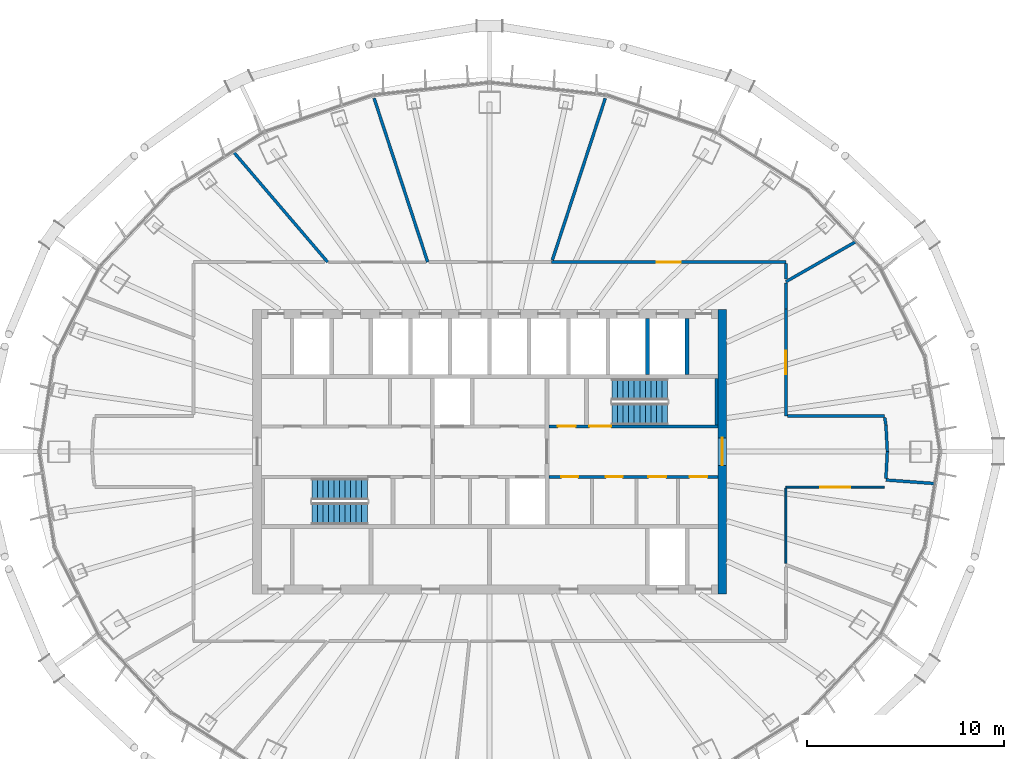
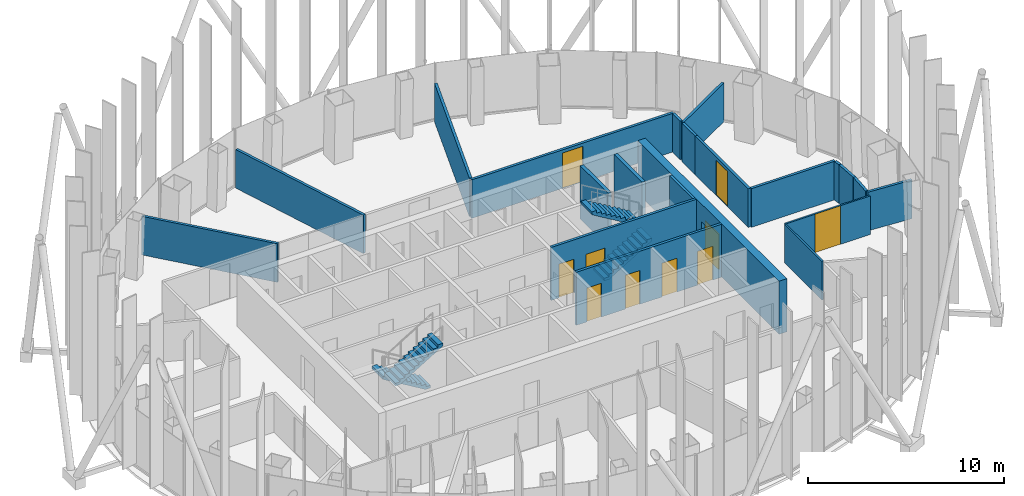
# One storey, part 10 of 17: 21 walls, 10 doors, 4 stair flights, 10 openings, 2 elements without a shape of their own.
"""IFC4 building model written with IfcOpenShell, lengths in metres."""

from ifc_helpers import new_model, si_unit, direction, frame, frame_2d, origin, place, context, subcontext, project, spatial, polyline, rectangle, outline, extrude, material, layer, layer_set, type_object, element, fill, aggregate, save


model = new_model("IFC4")

# Units and contexts
model_context = context("Model", 3, precision=1e-05, world=origin(), true_north=direction((0.0, 1.0)))
body_context = subcontext(model_context, "Body", "Model", "MODEL_VIEW")
ifc_project = project(units=[si_unit("LENGTHUNIT", "METRE"), si_unit("AREAUNIT", "SQUARE_METRE"), si_unit("VOLUMEUNIT", "CUBIC_METRE"), si_unit("PLANEANGLEUNIT", "RADIAN"), si_unit("MASSUNIT", "GRAM", prefix="KILO")], contexts=[model_context])

# Site, building, storey
site_placement = place(None, origin())
site = spatial("IfcSite", under=ifc_project, at=site_placement, CompositionType="ELEMENT")
building_placement = place(site_placement, origin())
building = spatial("IfcBuilding", under=site, at=building_placement, Name="Siaravel Broadcast Tower", CompositionType="ELEMENT")
storey_placement = place(building_placement, frame((0.0, 0.0, 190.39990234375)))
storey = spatial("IfcBuildingStorey", under=building, at=storey_placement, Name="L46", CompositionType="ELEMENT", Elevation=190.39990234375)

# Wall, opening, door
ifc_material_1 = material(Name="Concrete C60/75", Category="concrete")
ifc_layer_1 = layer(ifc_material_1, 0.449951171875)
ifc_layer_set_1 = layer_set([ifc_layer_1], Name="Concrete C60/75")
wall_type_1 = type_object("IfcWallType", Name="Core wall 450", PredefinedType="SHEAR", material=ifc_layer_set_1)
wall_1_placement = place(storey_placement, frame((11.77490234375, -7.199951171875, 0.0), z_axis=(0.0, 0.0, 1.0), x_axis=(0.0, 1.0, 0.0)))
wall_1 = element("IfcWall", 1, at=wall_1_placement, inside=storey, type_object=wall_type_1, Name="L46 core wall OE", PredefinedType="SHEAR", context=body_context, shape_type="SweptSolid", body=[
    extrude(rectangle(XDim=14.39990234375, YDim=0.449951171875, at=frame_2d((7.199951171875, 0.0))), origin(), (0.0, 0.0, 1.0), 3.300048828125),
])
opening_1_placement = place(wall_1_placement, frame((6.5, 0.0, 0.0)))
opening_1 = element("IfcOpeningElement", 2, at=opening_1_placement, cuts=wall_1, Name="Opening L46-DX-E", PredefinedType="OPENING", context=body_context, shape_type="SweptSolid", body=[
    extrude(rectangle(XDim=1.39990234375, YDim=2.199951171875, at=frame_2d((0.699951171875, 1.10009765625))), frame((0.0, 0.23486328125, 0.0), z_axis=(0.0, -1.0, 0.0), x_axis=(1.0, 0.0, 0.0)), (0.0, 0.0, 1.0), 0.469970703125),
])
ifc_material_2 = material(Name="Steel", Category="steel")
door_type_1 = type_object("IfcDoorType", Name="Core exit door 1400", OperationType="DOUBLE_DOOR_SINGLE_SWING", PredefinedType="DOOR", material=ifc_material_2)
door_1_placement = place(opening_1_placement, origin())
door_1 = element("IfcDoor", 3, at=door_1_placement, inside=storey, type_object=door_type_1, Name="L46 door DX-E", OperationType="DOUBLE_DOOR_SINGLE_SWING", OverallHeight=2.199951171875, OverallWidth=1.39990234375, PredefinedType="DOOR", context=body_context, shape_type="SweptSolid", body=[
    extrude(rectangle(XDim=1.39990234375, YDim=2.199951171875, at=frame_2d((0.699951171875, 1.10009765625))), frame((0.0, 0.02490234375, 0.0), z_axis=(0.0, -1.0, 0.0), x_axis=(1.0, 0.0, 0.0)), (0.0, 0.0, 1.0), 0.050048828125),
])
fill(opening_1, door_1)

# Wall, openings, doors
ifc_material_3 = material(Name="Gypsum board partition", Category="gypsum")
ifc_layer_2 = layer(ifc_material_3, 0.14990234375)
ifc_layer_set_2 = layer_set([ifc_layer_2], Name="Gypsum board partition")
wall_type_2 = type_object("IfcWallType", Name="Corridor wall 150", PredefinedType="PARTITIONING", material=ifc_layer_set_2)
wall_2_placement = place(storey_placement, frame((3.0, -1.27490234375, 0.0), z_axis=(0.0, 0.0, 1.0), x_axis=(1.0, 0.0, 0.0)))
wall_2 = element("IfcWall", 4, at=wall_2_placement, inside=storey, type_object=wall_type_2, Name="L46 core partition CSE", PredefinedType="PARTITIONING", context=body_context, shape_type="SweptSolid", body=[
    extrude(rectangle(XDim=8.550048828125, YDim=0.14990234375, at=frame_2d((4.27490234375, 0.0))), origin(), (0.0, 0.0, 1.0), 3.300048828125),
])
opening_2_placement = place(wall_2_placement, frame((0.6279296875, 0.0, 0.0)))
opening_2 = element("IfcOpeningElement", 5, at=opening_2_placement, cuts=wall_2, Name="Opening L46-DSE0", PredefinedType="OPENING", context=body_context, shape_type="SweptSolid", body=[
    extrude(rectangle(XDim=0.85009765625, YDim=2.10009765625, at=frame_2d((0.425048828125, 1.050048828125))), frame((0.0, 0.0849609375, 0.0), z_axis=(0.0, -1.0, 0.0), x_axis=(1.0, 0.0, 0.0)), (0.0, 0.0, 1.0), 0.169921875),
])
opening_3_placement = place(wall_2_placement, frame((2.884033203125, 0.0, 0.0)))
opening_3 = element("IfcOpeningElement", 6, at=opening_3_placement, cuts=wall_2, Name="Opening L46-DSE1", PredefinedType="OPENING", context=body_context, shape_type="SweptSolid", body=[
    extrude(rectangle(XDim=0.85009765625, YDim=2.10009765625, at=frame_2d((0.425048828125, 1.050048828125))), frame((0.0, 0.0849609375, 0.0), z_axis=(0.0, -1.0, 0.0), x_axis=(1.0, 0.0, 0.0)), (0.0, 0.0, 1.0), 0.169921875),
])
opening_4_placement = place(wall_2_placement, frame((5.033935546875, 0.0, 0.0)))
opening_4 = element("IfcOpeningElement", 7, at=opening_4_placement, cuts=wall_2, Name="Opening L46-DSE2", PredefinedType="OPENING", context=body_context, shape_type="SweptSolid", body=[
    extrude(rectangle(XDim=0.89990234375, YDim=2.10009765625, at=frame_2d((0.449951171875, 1.050048828125))), frame((0.0, 0.0849609375, 0.0), z_axis=(0.0, -1.0, 0.0), x_axis=(1.0, 0.0, 0.0)), (0.0, 0.0, 1.0), 0.169921875),
])
opening_5_placement = place(wall_2_placement, frame((7.1279296875, 0.0, 0.0)))
opening_5 = element("IfcOpeningElement", 8, at=opening_5_placement, cuts=wall_2, Name="Opening L46-DSE3", PredefinedType="OPENING", context=body_context, shape_type="SweptSolid", body=[
    extrude(rectangle(XDim=0.89990234375, YDim=2.10009765625, at=frame_2d((0.449951171875, 1.050048828125))), frame((0.0, 0.0849609375, 0.0), z_axis=(0.0, -1.0, 0.0), x_axis=(1.0, 0.0, 0.0)), (0.0, 0.0, 1.0), 0.169921875),
])
ifc_material_4 = material(Name="Timber veneer", Category="wood")
door_type_2 = type_object("IfcDoorType", Name="Core room door 900", OperationType="SINGLE_SWING_LEFT", PredefinedType="DOOR", material=ifc_material_4)
door_2_placement = place(opening_4_placement, origin())
door_2 = element("IfcDoor", 9, at=door_2_placement, inside=storey, type_object=door_type_2, Name="L46 door DSE2", OperationType="SINGLE_SWING_LEFT", OverallHeight=2.10009765625, OverallWidth=0.89990234375, PredefinedType="DOOR", context=body_context, shape_type="SweptSolid", body=[
    extrude(rectangle(XDim=0.89990234375, YDim=2.10009765625, at=frame_2d((0.449951171875, 1.050048828125))), frame((0.0, 0.02490234375, 0.0), z_axis=(0.0, -1.0, 0.0), x_axis=(1.0, 0.0, 0.0)), (0.0, 0.0, 1.0), 0.050048828125),
])
fill(opening_4, door_2)
door_3_placement = place(opening_5_placement, origin())
door_3 = element("IfcDoor", 10, at=door_3_placement, inside=storey, type_object=door_type_2, Name="L46 door DSE3", OperationType="SINGLE_SWING_LEFT", OverallHeight=2.10009765625, OverallWidth=0.89990234375, PredefinedType="DOOR", context=body_context, shape_type="SweptSolid", body=[
    extrude(rectangle(XDim=0.89990234375, YDim=2.10009765625, at=frame_2d((0.449951171875, 1.050048828125))), frame((0.0, 0.02490234375, 0.0), z_axis=(0.0, -1.0, 0.0), x_axis=(1.0, 0.0, 0.0)), (0.0, 0.0, 1.0), 0.050048828125),
])
fill(opening_5, door_3)
door_type_3 = type_object("IfcDoorType", Name="Core toilet door 850", OperationType="SINGLE_SWING_LEFT", PredefinedType="DOOR", material=ifc_material_4)
door_4_placement = place(opening_2_placement, origin())
door_4 = element("IfcDoor", 11, at=door_4_placement, inside=storey, type_object=door_type_3, Name="L46 door DSE0", OperationType="SINGLE_SWING_LEFT", OverallHeight=2.10009765625, OverallWidth=0.85009765625, PredefinedType="DOOR", context=body_context, shape_type="SweptSolid", body=[
    extrude(rectangle(XDim=0.85009765625, YDim=2.10009765625, at=frame_2d((0.425048828125, 1.050048828125))), frame((0.0, 0.02490234375, 0.0), z_axis=(0.0, -1.0, 0.0), x_axis=(1.0, 0.0, 0.0)), (0.0, 0.0, 1.0), 0.050048828125),
])
fill(opening_2, door_4)
door_5_placement = place(opening_3_placement, origin())
door_5 = element("IfcDoor", 12, at=door_5_placement, inside=storey, type_object=door_type_3, Name="L46 door DSE1", OperationType="SINGLE_SWING_LEFT", OverallHeight=2.10009765625, OverallWidth=0.85009765625, PredefinedType="DOOR", context=body_context, shape_type="SweptSolid", body=[
    extrude(rectangle(XDim=0.85009765625, YDim=2.10009765625, at=frame_2d((0.425048828125, 1.050048828125))), frame((0.0, 0.02490234375, 0.0), z_axis=(0.0, -1.0, 0.0), x_axis=(1.0, 0.0, 0.0)), (0.0, 0.0, 1.0), 0.050048828125),
])
fill(opening_3, door_5)

# Wall, opening, door
wall_3_placement = place(storey_placement, frame((15.0, 9.60009765625, 0.0), z_axis=(0.0, 0.0, 1.0), x_axis=(-1.0, 0.0, 0.0)))
wall_3 = element("IfcWall", 13, at=wall_3_placement, inside=storey, type_object=wall_type_2, Name="L46 partition 2", PredefinedType="PARTITIONING", context=body_context, shape_type="SweptSolid", body=[
    extrude(rectangle(XDim=11.859619140625, YDim=0.14990234375, at=frame_2d((5.9296875, 0.0))), origin(), (0.0, 0.0, 1.0), 2.400146484375),
])
opening_6_placement = place(wall_3_placement, frame((5.329833984375, 0.0, 0.0)))
opening_6 = element("IfcOpeningElement", 14, at=opening_6_placement, cuts=wall_3, Name="Opening L46-007", PredefinedType="OPENING", context=body_context, shape_type="SweptSolid", body=[
    extrude(rectangle(XDim=1.199951171875, YDim=2.199951171875, at=frame_2d((0.60009765625, 1.10009765625))), frame((0.0, 0.0849609375, 0.0), z_axis=(0.0, -1.0, 0.0), x_axis=(1.0, 0.0, 0.0)), (0.0, 0.0, 1.0), 0.169921875),
])
door_type_4 = type_object("IfcDoorType", Name="Office double door 1200", OperationType="DOUBLE_DOOR_SINGLE_SWING", PredefinedType="DOOR", material=ifc_material_4)
door_6_placement = place(opening_6_placement, origin())
door_6 = element("IfcDoor", 15, at=door_6_placement, inside=storey, type_object=door_type_4, Name="L46 door to Open plan office", OperationType="DOUBLE_DOOR_SINGLE_SWING", OverallHeight=2.199951171875, OverallWidth=1.199951171875, PredefinedType="DOOR", context=body_context, shape_type="SweptSolid", body=[
    extrude(rectangle(XDim=1.199951171875, YDim=2.199951171875, at=frame_2d((0.60009765625, 1.10009765625))), frame((0.0, 0.02490234375, 0.0), z_axis=(0.0, -1.0, 0.0), x_axis=(1.0, 0.0, 0.0)), (0.0, 0.0, 1.0), 0.050048828125),
])
fill(opening_6, door_6)

wall_4_placement = place(storey_placement, frame((15.0, 1.800048828125, 0.0), z_axis=(0.0, 0.0, 1.0), x_axis=(0.0, 1.0, 0.0)))
wall_4 = element("IfcWall", 16, at=wall_4_placement, inside=storey, type_object=wall_type_2, Name="L46 partition 16", PredefinedType="PARTITIONING", context=body_context, shape_type="SweptSolid", body=[
    extrude(rectangle(XDim=5.411865234375, YDim=0.14990234375, at=frame_2d((2.7060546875, 0.0))), origin(), (0.0, 0.0, 1.0), 2.400146484375),
])
opening_7_placement = place(wall_4_placement, frame((2.10595703125, 0.0, 0.0)))
opening_7 = element("IfcOpeningElement", 17, at=opening_7_placement, cuts=wall_4, Name="Opening L46-006", PredefinedType="OPENING", context=body_context, shape_type="SweptSolid", body=[
    extrude(rectangle(XDim=1.199951171875, YDim=2.199951171875, at=frame_2d((0.60009765625, 1.10009765625))), frame((0.0, 0.0849609375, 0.0), z_axis=(0.0, -1.0, 0.0), x_axis=(1.0, 0.0, 0.0)), (0.0, 0.0, 1.0), 0.169921875),
])
door_7_placement = place(opening_7_placement, origin())
door_7 = element("IfcDoor", 18, at=door_7_placement, inside=storey, type_object=door_type_4, Name="L46 door to Open plan office", OperationType="DOUBLE_DOOR_SINGLE_SWING", OverallHeight=2.199951171875, OverallWidth=1.199951171875, PredefinedType="DOOR", context=body_context, shape_type="SweptSolid", body=[
    extrude(rectangle(XDim=1.199951171875, YDim=2.199951171875, at=frame_2d((0.60009765625, 1.10009765625))), frame((0.0, 0.02490234375, 0.0), z_axis=(0.0, -1.0, 0.0), x_axis=(1.0, 0.0, 0.0)), (0.0, 0.0, 1.0), 0.050048828125),
])
fill(opening_7, door_7)

# Walls
wall_5_placement = place(storey_placement, frame((19.9921875, 1.800048828125, 0.0), z_axis=(0.0, 0.0, 1.0), x_axis=(-1.0, 0.0, 0.0)))
element("IfcWall", 19, at=wall_5_placement, inside=storey, type_object=wall_type_2, Name="L46 partition 21", PredefinedType="PARTITIONING", context=body_context, shape_type="SweptSolid", body=[
    extrude(rectangle(XDim=4.915283203125, YDim=0.14990234375, at=frame_2d((2.45751953125, 0.0))), origin(), (0.0, 0.0, 1.0), 2.400146484375),
])
wall_6_placement = place(storey_placement, frame((20.064208984375, -1.360595703125, 0.0), z_axis=(0.0, 0.0, 1.0), x_axis=(0.053217143, 0.998582964, 0.0)))
element("IfcWall", 20, at=wall_6_placement, inside=storey, type_object=wall_type_2, Name="L46 partition 32", PredefinedType="PARTITIONING", context=body_context, shape_type="SweptSolid", body=[
    extrude(rectangle(XDim=1.362548828125, YDim=0.14990234375, at=frame_2d((0.68115234375, 0.0))), origin(), (0.0, 0.0, 1.0), 2.400146484375),
])
wall_7_placement = place(storey_placement, frame((15.0, 7.212890625, 0.0), z_axis=(0.0, 0.0, 1.0), x_axis=(0.0, 1.0, 0.0)))
element("IfcWall", 21, at=wall_7_placement, inside=storey, type_object=wall_type_2, Name="L46 partition 34", PredefinedType="PARTITIONING", context=body_context, shape_type="SweptSolid", body=[
    extrude(rectangle(XDim=1.3232421875, YDim=0.14990234375, at=frame_2d((0.66162109375, 0.0))), origin(), (0.0, 0.0, 1.0), 2.400146484375),
])
wall_8_placement = place(storey_placement, frame((20.13623046875, 0.010009765625, 0.0), z_axis=(0.0, 0.0, 1.0), x_axis=(-0.053267345, 0.998580287, 0.0)))
element("IfcWall", 22, at=wall_8_placement, inside=storey, type_object=wall_type_2, Name="L46 partition 37", PredefinedType="PARTITIONING", context=body_context, shape_type="SweptSolid", body=[
    extrude(rectangle(XDim=1.33837890625, YDim=0.14990234375, at=frame_2d((0.669189453125, 0.0))), origin(), (0.0, 0.0, 1.0), 2.400146484375),
])
wall_9_placement = place(storey_placement, frame((15.0, 8.734619140625, 0.0), z_axis=(0.0, 0.0, 1.0), x_axis=(0.0, 1.0, 0.0)))
element("IfcWall", 23, at=wall_9_placement, inside=storey, type_object=wall_type_2, Name="L46 partition 39", PredefinedType="PARTITIONING", context=body_context, shape_type="SweptSolid", body=[
    extrude(rectangle(XDim=0.788330078125, YDim=0.14990234375, at=frame_2d((0.39404296875, 0.0))), origin(), (0.0, 0.0, 1.0), 2.400146484375),
])
wall_10_placement = place(storey_placement, frame((20.0634765625, 1.356201171875, 0.0), z_axis=(0.0, 0.0, 1.0), x_axis=(-0.158882963, 0.987297424, 0.0)))
element("IfcWall", 24, at=wall_10_placement, inside=storey, type_object=wall_type_2, Name="L46 partition 42", PredefinedType="PARTITIONING", context=body_context, shape_type="SweptSolid", body=[
    extrude(rectangle(XDim=0.373291015625, YDim=0.14990234375, at=frame_2d((0.1865234375, 0.0))), origin(), (0.0, 0.0, 1.0), 2.400146484375),
])

# Wall, opening, door
ifc_material_5 = material(Name="Glazed aluminium partition", Category="aluminium")
ifc_layer_3 = layer(ifc_material_5, 0.10009765625)
ifc_layer_set_3 = layer_set([ifc_layer_3], Name="Glazed aluminium partition")
wall_type_3 = type_object("IfcWallType", Name="Glazed meeting room partition 100", PredefinedType="PARTITIONING", material=ifc_layer_set_3)
wall_11_placement = place(storey_placement, frame((15.0, -1.800048828125, 0.0), z_axis=(0.0, 0.0, 1.0), x_axis=(1.0, 0.0, 0.0)))
wall_11 = element("IfcWall", 25, at=wall_11_placement, inside=storey, type_object=wall_type_3, Name="L46 partition 20", PredefinedType="PARTITIONING", context=body_context, shape_type="SweptSolid", body=[
    extrude(rectangle(XDim=4.9921875, YDim=0.10009765625, at=frame_2d((2.49609375, 0.0))), origin(), (0.0, 0.0, 1.0), 2.400146484375),
])
opening_8_placement = place(wall_11_placement, frame((1.74609375, 0.0, 0.0)))
opening_8 = element("IfcOpeningElement", 26, at=opening_8_placement, cuts=wall_11, Name="Opening L46-005", PredefinedType="OPENING", context=body_context, shape_type="SweptSolid", body=[
    extrude(rectangle(XDim=1.5, YDim=2.39990234375, at=frame_2d((0.75, 1.199951171875))), frame((0.0, 0.06005859375, 0.0), z_axis=(0.0, -1.0, 0.0), x_axis=(1.0, 0.0, 0.0)), (0.0, 0.0, 1.0), 0.1201171875),
])
door_type_5 = type_object("IfcDoorType", Name="Conference double door 1500", OperationType="DOUBLE_DOOR_SINGLE_SWING", PredefinedType="DOOR", material=ifc_material_4)
door_8_placement = place(opening_8_placement, origin())
door_8 = element("IfcDoor", 27, at=door_8_placement, inside=storey, type_object=door_type_5, Name="L46 door to Conference room", OperationType="DOUBLE_DOOR_SINGLE_SWING", OverallHeight=2.39990234375, OverallWidth=1.5, PredefinedType="DOOR", context=body_context, shape_type="SweptSolid", body=[
    extrude(rectangle(XDim=1.5, YDim=2.39990234375, at=frame_2d((0.75, 1.199951171875))), frame((0.0, 0.02490234375, 0.0), z_axis=(0.0, -1.0, 0.0), x_axis=(1.0, 0.0, 0.0)), (0.0, 0.0, 1.0), 0.050048828125),
])
fill(opening_8, door_8)

# Walls
wall_12_placement = place(storey_placement, frame((15.0, -5.6572265625, 0.0), z_axis=(0.0, 0.0, 1.0), x_axis=(0.0, 1.0, 0.0)))
element("IfcWall", 28, at=wall_12_placement, inside=storey, type_object=wall_type_3, Name="L46 partition 26", PredefinedType="PARTITIONING", context=body_context, shape_type="SweptSolid", body=[
    extrude(rectangle(XDim=3.80517578125, YDim=0.10009765625, at=frame_2d((1.902587890625, 0.0))), origin(), (0.0, 0.0, 1.0), 2.400146484375),
])
ifc_layer_4 = layer(ifc_material_3, 0.14990234375)
ifc_layer_set_4 = layer_set([ifc_layer_4], Name="Gypsum board partition")
wall_type_4 = type_object("IfcWallType", Name="Room partition 150", PredefinedType="PARTITIONING", material=ifc_layer_set_4)
wall_13_placement = place(storey_placement, frame((-5.853515625, 17.893798828125, 0.0), z_axis=(0.0, 0.0, 1.0), x_axis=(0.310918216, -0.95043667, 0.0)))
element("IfcWall", 29, at=wall_13_placement, inside=storey, type_object=wall_type_4, Name="L46 partition 4", PredefinedType="PARTITIONING", context=body_context, shape_type="SweptSolid", body=[
    extrude(rectangle(XDim=8.726318359375, YDim=0.14990234375, at=frame_2d((4.36328125, 0.0))), origin(), (0.0, 0.0, 1.0), 2.400146484375),
])
wall_14_placement = place(storey_placement, frame((5.853271484375, 17.892822265625, 0.0), z_axis=(0.0, 0.0, 1.0), x_axis=(-0.310929285, -0.950433049, 0.0)))
element("IfcWall", 30, at=wall_14_placement, inside=storey, type_object=wall_type_4, Name="L46 partition 6", PredefinedType="PARTITIONING", context=body_context, shape_type="SweptSolid", body=[
    extrude(rectangle(XDim=8.619873046875, YDim=0.14990234375, at=frame_2d((4.31005859375, 0.0))), origin(), (0.0, 0.0, 1.0), 2.400146484375),
])
wall_15_placement = place(storey_placement, frame((-12.97607421875, 15.179443359375, 0.0), z_axis=(0.0, 0.0, 1.0), x_axis=(0.649788278, -0.76011525, 0.0)))
element("IfcWall", 31, at=wall_15_placement, inside=storey, type_object=wall_type_4, Name="L46 partition 7", PredefinedType="PARTITIONING", context=body_context, shape_type="SweptSolid", body=[
    extrude(rectangle(XDim=7.340087890625, YDim=0.14990234375, at=frame_2d((3.669921875, 0.0))), origin(), (0.0, 0.0, 1.0), 2.400146484375),
])
wall_16_placement = place(storey_placement, frame((18.537109375, 10.632080078125, 0.0), z_axis=(0.0, 0.0, 1.0), x_axis=(-0.867438786, -0.49754392, 0.0)))
element("IfcWall", 32, at=wall_16_placement, inside=storey, type_object=wall_type_4, Name="L46 partition 24", PredefinedType="PARTITIONING", context=body_context, shape_type="SweptSolid", body=[
    extrude(rectangle(XDim=4.07763671875, YDim=0.14990234375, at=frame_2d((2.038818359375, 0.0))), origin(), (0.0, 0.0, 1.0), 2.400146484375),
])
wall_17_placement = place(storey_placement, frame((22.55419921875, -1.6162109375, 0.0), z_axis=(0.0, 0.0, 1.0), x_axis=(-0.997442317, 0.071476043, 0.0)))
element("IfcWall", 33, at=wall_17_placement, inside=storey, type_object=wall_type_4, Name="L46 partition 27", PredefinedType="PARTITIONING", context=body_context, shape_type="SweptSolid", body=[
    extrude(rectangle(XDim=2.500244140625, YDim=0.14990234375, at=frame_2d((1.25, 0.0))), origin(), (0.0, 0.0, 1.0), 2.400146484375),
])

# Wall, openings, doors
ifc_layer_5 = layer(ifc_material_1, 0.14990234375)
ifc_layer_set_5 = layer_set([ifc_layer_5], Name="Concrete C60/75")
wall_type_5 = type_object("IfcWallType", Name="Shaft wall 150", PredefinedType="SHEAR", material=ifc_layer_set_5)
wall_18_placement = place(storey_placement, frame((3.0, 1.27490234375, 0.0), z_axis=(0.0, 0.0, 1.0), x_axis=(1.0, 0.0, 0.0)))
wall_18 = element("IfcWall", 34, at=wall_18_placement, inside=storey, type_object=wall_type_5, Name="L46 core wall CNE", PredefinedType="SHEAR", context=body_context, shape_type="SweptSolid", body=[
    extrude(rectangle(XDim=8.550048828125, YDim=0.14990234375, at=frame_2d((4.27490234375, 0.0))), origin(), (0.0, 0.0, 1.0), 3.300048828125),
])
opening_9_placement = place(wall_18_placement, frame((2.050048828125, 0.0, 0.0)))
opening_9 = element("IfcOpeningElement", 35, at=opening_9_placement, cuts=wall_18, Name="Opening L46-DS-2", PredefinedType="OPENING", context=body_context, shape_type="SweptSolid", body=[
    extrude(rectangle(XDim=1.10009765625, YDim=2.14990234375, at=frame_2d((0.550048828125, 1.074951171875))), frame((0.0, 0.0849609375, 0.0), z_axis=(0.0, -1.0, 0.0), x_axis=(1.0, 0.0, 0.0)), (0.0, 0.0, 1.0), 0.169921875),
])
opening_10_placement = place(wall_18_placement, frame((0.449951171875, 0.0, 0.0)))
opening_10 = element("IfcOpeningElement", 36, at=opening_10_placement, cuts=wall_18, Name="Opening L46-DNE0", PredefinedType="OPENING", context=body_context, shape_type="SweptSolid", body=[
    extrude(rectangle(XDim=0.89990234375, YDim=2.10009765625, at=frame_2d((0.449951171875, 1.050048828125))), frame((0.0, 0.0849609375, 0.0), z_axis=(0.0, -1.0, 0.0), x_axis=(1.0, 0.0, 0.0)), (0.0, 0.0, 1.0), 0.169921875),
])
door_9_placement = place(opening_10_placement, origin())
door_9 = element("IfcDoor", 37, at=door_9_placement, inside=storey, type_object=door_type_2, Name="L46 door DNE0", OperationType="SINGLE_SWING_LEFT", OverallHeight=2.10009765625, OverallWidth=0.89990234375, PredefinedType="DOOR", context=body_context, shape_type="SweptSolid", body=[
    extrude(rectangle(XDim=0.89990234375, YDim=2.10009765625, at=frame_2d((0.449951171875, 1.050048828125))), frame((0.0, 0.02490234375, 0.0), z_axis=(0.0, -1.0, 0.0), x_axis=(1.0, 0.0, 0.0)), (0.0, 0.0, 1.0), 0.050048828125),
])
fill(opening_10, door_9)
door_type_6 = type_object("IfcDoorType", Name="Stair door 1100", OperationType="SINGLE_SWING_LEFT", PredefinedType="DOOR", material=ifc_material_2)
door_10_placement = place(opening_9_placement, origin())
door_10 = element("IfcDoor", 38, at=door_10_placement, inside=storey, type_object=door_type_6, Name="L46 door DS-2", OperationType="SINGLE_SWING_LEFT", OverallHeight=2.14990234375, OverallWidth=1.10009765625, PredefinedType="DOOR", context=body_context, shape_type="SweptSolid", body=[
    extrude(rectangle(XDim=1.10009765625, YDim=2.14990234375, at=frame_2d((0.550048828125, 1.074951171875))), frame((0.0, 0.02490234375, 0.0), z_axis=(0.0, -1.0, 0.0), x_axis=(1.0, 0.0, 0.0)), (0.0, 0.0, 1.0), 0.050048828125),
])
fill(opening_9, door_10)

# Walls
wall_19_placement = place(storey_placement, frame((11.47509765625, 1.35009765625, 0.0), z_axis=(0.0, 0.0, 1.0), x_axis=(0.0, 1.0, 0.0)))
element("IfcWall", 39, at=wall_19_placement, inside=storey, type_object=wall_type_5, Name="L46 core wall ST2E", PredefinedType="SHEAR", context=body_context, shape_type="SweptSolid", body=[
    extrude(rectangle(XDim=2.349853515625, YDim=0.14990234375, at=frame_2d((1.1748046875, 0.0))), origin(), (0.0, 0.0, 1.0), 3.300048828125),
])
ifc_layer_6 = layer(ifc_material_1, 0.199951171875)
ifc_layer_set_6 = layer_set([ifc_layer_6], Name="Concrete C60/75")
wall_type_6 = type_object("IfcWallType", Name="Shaft wall 200", PredefinedType="SHEAR", material=ifc_layer_set_6)
for number, where, z_axis, x_axis, name in (
    (40, (8.0, 3.89990234375, 0.0), (0.0, 0.0, 1.0), (0.0, 1.0, 0.0), "L46 core wall SWN9"),
    (41, (10.0, 3.89990234375, 0.0), (0.0, 0.0, 1.0), (0.0, 1.0, 0.0), "L46 core wall SWN10"),
):
    element("IfcWall", number, at=place(storey_placement, frame(where, z_axis=z_axis, x_axis=x_axis)), inside=storey, type_object=wall_type_6, Name=name, PredefinedType="SHEAR", context=body_context, shape_type="SweptSolid", body=[
        extrude(rectangle(XDim=2.85009765625, YDim=0.199951171875, at=frame_2d((1.425048828125, 0.0))), origin(), (0.0, 0.0, 1.0), 3.300048828125),
    ])

# Stair, stair flights
ifc_material_6 = material(Name="Concrete C40/50", Category="concrete")
stair_type = type_object("IfcStairType", Name="Core exit stair", PredefinedType="HALF_TURN_STAIR", material=ifc_material_6)
stair_1_placement = place(storey_placement, origin())
stair_1 = element("IfcStair", 42, at=stair_1_placement, inside=storey, type_object=stair_type, Name="L46 Exit stair ST-1", PredefinedType="HALF_TURN_STAIR")
stair_flight_type = type_object("IfcStairFlightType", Name="Stair flight 1100", PredefinedType="STRAIGHT", material=ifc_material_6)
stair_flight_1_placement = place(storey_placement, frame((-6.199951171875, -1.89990234375, 0.0), z_axis=(0.0, 0.0, 1.0), x_axis=(-1.0, 0.0, 0.0)))
stair_flight_1 = element("IfcStairFlight", 43, at=stair_flight_1_placement, type_object=stair_flight_type, Name="ST-1 flight 1", NumberOfRisers=11, NumberOfTreads=10, PredefinedType="STRAIGHT", RiserHeight=0.1681818, TreadLength=0.28, context=body_context, shape_type="SweptSolid", body=[
    extrude(outline(polyline([(0.0, 0.0), (0.0, 0.168212890625), (0.280029296875, 0.168212890625), (0.280029296875, 0.33642578125), (0.56005859375, 0.33642578125), (0.56005859375, 0.504638671875), (0.840087890625, 0.504638671875), (0.840087890625, 0.672607421875), (1.1201171875, 0.672607421875), (1.1201171875, 0.8408203125), (1.39990234375, 0.8408203125), (1.39990234375, 1.009033203125), (1.679931640625, 1.009033203125), (1.679931640625, 1.17724609375), (1.9599609375, 1.17724609375), (1.9599609375, 1.345458984375), (2.239990234375, 1.345458984375), (2.239990234375, 1.513671875), (2.52001953125, 1.513671875), (2.52001953125, 1.681884765625), (2.800048828125, 1.681884765625), (2.800048828125, 1.85009765625), (2.800048828125, 1.5068359375), (0.291015625, 0.0), (0.0, 0.0)])), frame((0.0, 0.550048828125, 0.0), z_axis=(0.0, -1.0, 0.0), x_axis=(1.0, 0.0, 0.0)), (0.0, 0.0, 1.0), 1.10009765625),
])
stair_flight_2_placement = place(storey_placement, frame((-9.0, -3.14990234375, 1.85009765625), z_axis=(0.0, 0.0, 1.0), x_axis=(1.0, 0.0, 0.0)))
stair_flight_2 = element("IfcStairFlight", 44, at=stair_flight_2_placement, type_object=stair_flight_type, Name="ST-1 flight 2", NumberOfRisers=11, NumberOfTreads=10, PredefinedType="STRAIGHT", RiserHeight=0.1681818, TreadLength=0.28, context=body_context, shape_type="SweptSolid", body=[
    extrude(outline(polyline([(0.0, 0.0), (0.0, 0.168212890625), (0.280029296875, 0.168212890625), (0.280029296875, 0.33642578125), (0.56005859375, 0.33642578125), (0.56005859375, 0.504638671875), (0.840087890625, 0.504638671875), (0.840087890625, 0.672607421875), (1.1201171875, 0.672607421875), (1.1201171875, 0.8408203125), (1.39990234375, 0.8408203125), (1.39990234375, 1.009033203125), (1.679931640625, 1.009033203125), (1.679931640625, 1.17724609375), (1.9599609375, 1.17724609375), (1.9599609375, 1.345458984375), (2.239990234375, 1.345458984375), (2.239990234375, 1.513671875), (2.52001953125, 1.513671875), (2.52001953125, 1.681884765625), (2.800048828125, 1.681884765625), (2.800048828125, 1.85009765625), (2.800048828125, 1.5068359375), (0.291015625, 0.0), (0.0, 0.0)])), frame((0.0, 0.550048828125, 0.0), z_axis=(0.0, -1.0, 0.0), x_axis=(1.0, 0.0, 0.0)), (0.0, 0.0, 1.0), 1.10009765625),
])
aggregate(stair_1, [stair_flight_1, stair_flight_2])

stair_2_placement = place(storey_placement, origin())
stair_2 = element("IfcStair", 45, at=stair_2_placement, inside=storey, type_object=stair_type, Name="L46 Exit stair ST-2", PredefinedType="HALF_TURN_STAIR")
stair_flight_3_placement = place(storey_placement, frame((6.199951171875, 1.89990234375, 0.0), z_axis=(0.0, 0.0, 1.0), x_axis=(1.0, 0.0, 0.0)))
stair_flight_3 = element("IfcStairFlight", 46, at=stair_flight_3_placement, type_object=stair_flight_type, Name="ST-2 flight 1", NumberOfRisers=11, NumberOfTreads=10, PredefinedType="STRAIGHT", RiserHeight=0.1681818, TreadLength=0.28, context=body_context, shape_type="SweptSolid", body=[
    extrude(outline(polyline([(0.0, 0.0), (0.0, 0.168212890625), (0.280029296875, 0.168212890625), (0.280029296875, 0.33642578125), (0.56005859375, 0.33642578125), (0.56005859375, 0.504638671875), (0.840087890625, 0.504638671875), (0.840087890625, 0.672607421875), (1.1201171875, 0.672607421875), (1.1201171875, 0.8408203125), (1.39990234375, 0.8408203125), (1.39990234375, 1.009033203125), (1.679931640625, 1.009033203125), (1.679931640625, 1.17724609375), (1.9599609375, 1.17724609375), (1.9599609375, 1.345458984375), (2.239990234375, 1.345458984375), (2.239990234375, 1.513671875), (2.52001953125, 1.513671875), (2.52001953125, 1.681884765625), (2.800048828125, 1.681884765625), (2.800048828125, 1.85009765625), (2.800048828125, 1.5068359375), (0.291015625, 0.0), (0.0, 0.0)])), frame((0.0, 0.550048828125, 0.0), z_axis=(0.0, -1.0, 0.0), x_axis=(1.0, 0.0, 0.0)), (0.0, 0.0, 1.0), 1.10009765625),
])
stair_flight_4_placement = place(storey_placement, frame((9.0, 3.14990234375, 1.85009765625), z_axis=(0.0, 0.0, 1.0), x_axis=(-1.0, 0.0, 0.0)))
stair_flight_4 = element("IfcStairFlight", 47, at=stair_flight_4_placement, type_object=stair_flight_type, Name="ST-2 flight 2", NumberOfRisers=11, NumberOfTreads=10, PredefinedType="STRAIGHT", RiserHeight=0.1681818, TreadLength=0.28, context=body_context, shape_type="SweptSolid", body=[
    extrude(outline(polyline([(0.0, 0.0), (0.0, 0.168212890625), (0.280029296875, 0.168212890625), (0.280029296875, 0.33642578125), (0.56005859375, 0.33642578125), (0.56005859375, 0.504638671875), (0.840087890625, 0.504638671875), (0.840087890625, 0.672607421875), (1.1201171875, 0.672607421875), (1.1201171875, 0.8408203125), (1.39990234375, 0.8408203125), (1.39990234375, 1.009033203125), (1.679931640625, 1.009033203125), (1.679931640625, 1.17724609375), (1.9599609375, 1.17724609375), (1.9599609375, 1.345458984375), (2.239990234375, 1.345458984375), (2.239990234375, 1.513671875), (2.52001953125, 1.513671875), (2.52001953125, 1.681884765625), (2.800048828125, 1.681884765625), (2.800048828125, 1.85009765625), (2.800048828125, 1.5068359375), (0.291015625, 0.0), (0.0, 0.0)])), frame((0.0, 0.550048828125, 0.0), z_axis=(0.0, -1.0, 0.0), x_axis=(1.0, 0.0, 0.0)), (0.0, 0.0, 1.0), 1.10009765625),
])
aggregate(stair_2, [stair_flight_3, stair_flight_4])

save(model, "model.ifc")
